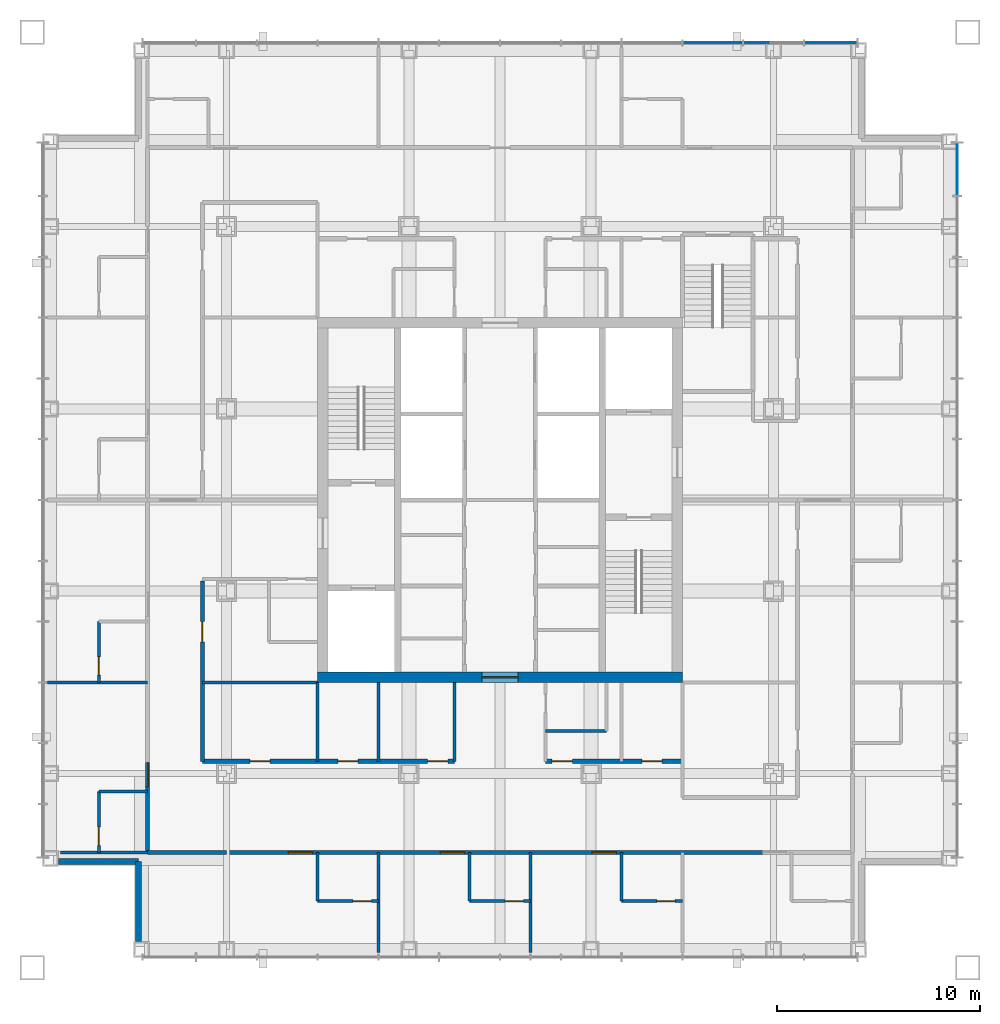
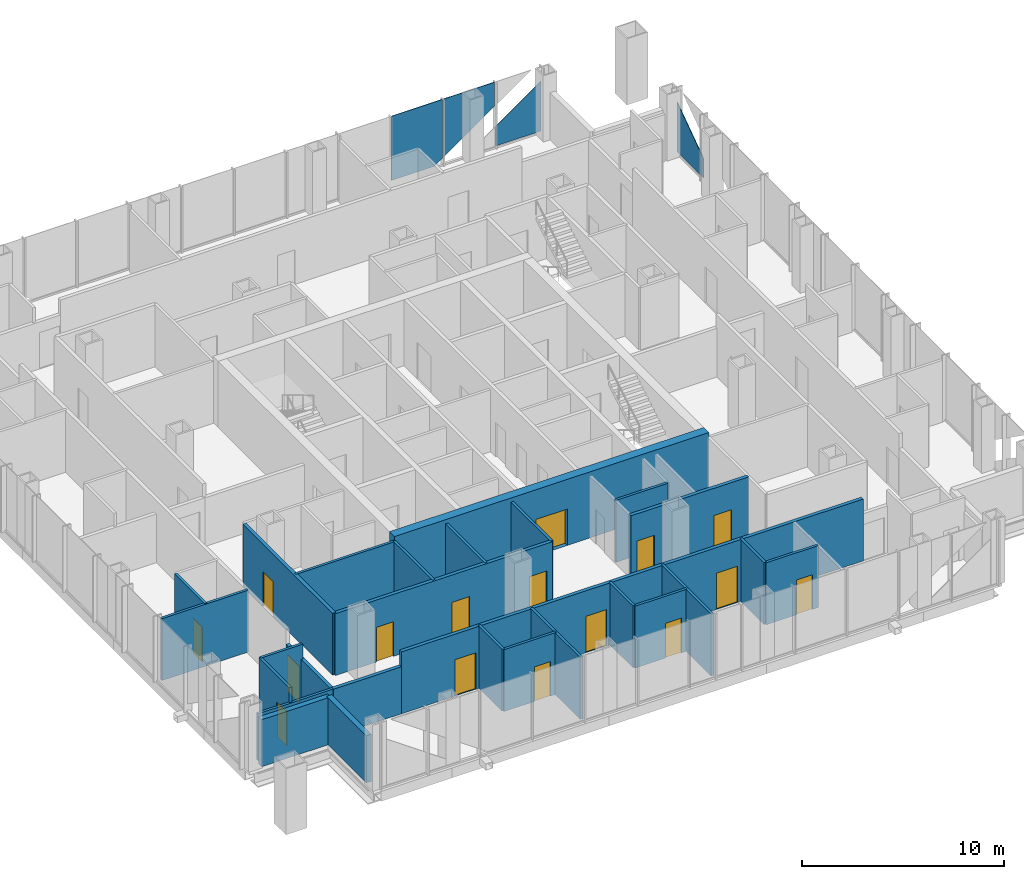
# One storey, part 6 of 11: 27 walls, 16 doors, 4 plates, 16 openings, 2 elements without a shape of their own.
"""IFC4 building model written with IfcOpenShell, lengths in metres."""

from ifc_helpers import new_model, si_unit, direction, frame, frame_2d, origin, place, context, subcontext, project, spatial, polyline, rectangle, outline, extrude, material, layer, layer_set, type_object, element, fill, aggregate, save


model = new_model("IFC4")

# Units and contexts
model_context = context("Model", 3, precision=1e-05, world=origin(), true_north=direction((0.0, 1.0)))
body_context = subcontext(model_context, "Body", "Model", "MODEL_VIEW")
ifc_project = project(units=[si_unit("LENGTHUNIT", "METRE"), si_unit("AREAUNIT", "SQUARE_METRE"), si_unit("VOLUMEUNIT", "CUBIC_METRE"), si_unit("PLANEANGLEUNIT", "RADIAN"), si_unit("MASSUNIT", "GRAM", prefix="KILO")], contexts=[model_context])

# Site, building, storey
site_placement = place(None, origin())
site = spatial("IfcSite", under=ifc_project, at=site_placement, CompositionType="ELEMENT")
building_placement = place(site_placement, origin())
building = spatial("IfcBuilding", under=site, at=building_placement, Name="Malebo Sky Hospital", CompositionType="ELEMENT")
storey_placement = place(building_placement, frame((0.0, 0.0, 201.0)))
storey = spatial("IfcBuildingStorey", under=building, at=storey_placement, Name="L48", CompositionType="ELEMENT", Elevation=201.0)

# Curtain wall, plates
ifc_material_1 = material(Name="Anodised aluminium, natural silver", Category="aluminium")
ifc_layer_1 = layer(ifc_material_1, 0.25)
ifc_layer_set_1 = layer_set([ifc_layer_1], Name="WARD CURTAIN WALL NORTH AND SOUTH")
curtain_wall_type_1 = type_object("IfcCurtainWallType", Name="WARD CURTAIN WALL NORTH AND SOUTH", PredefinedType="NOTDEFINED", material=ifc_layer_set_1)
curtain_wall_1_placement = place(storey_placement, origin())
curtain_wall_1 = element("IfcCurtainWall", 1, at=curtain_wall_1_placement, inside=storey, type_object=curtain_wall_type_1, Name="NS curtain wall N", PredefinedType="NOTDEFINED")
ifc_material_2 = material(Name="Clear low-iron double glazing", Category="glass")
ifc_layer_2 = layer(ifc_material_2, 0.031982421875)
ifc_layer_set_2 = layer_set([ifc_layer_2], Name="VISION PANEL CLEAR 32")
plate_type = type_object("IfcPlateType", Name="VISION PANEL CLEAR 32", PredefinedType="CURTAIN_PANEL", material=ifc_layer_set_2)
plate_1_placement = place(storey_placement, frame((70.5, 84.574951171875, 0.10009765625), z_axis=(0.0, 0.0, 1.0), x_axis=(1.0, 0.0, 0.0)))
plate_1 = element("IfcPlate", 2, at=plate_1_placement, type_object=plate_type, Name="Panel 10", PredefinedType="CURTAIN_PANEL", context=body_context, shape_type="SweptSolid", body=[
    extrude(outline(polyline([(-1.46240234375, 0.0), (1.0078125, 0.0), (1.46240234375, 0.3193359375), (1.46240234375, 3.889892578125), (-1.46240234375, 3.889892578125), (-1.46240234375, 0.0)])), frame((0.0, 0.01611328125, 0.0), z_axis=(0.0, -1.0, 0.0), x_axis=(1.0, 0.0, 0.0)), (0.0, 0.0, 1.0), 0.031982421875),
])
plate_2_placement = place(storey_placement, frame((73.5, 84.574951171875, 0.47216796875), z_axis=(0.0, 0.0, 1.0), x_axis=(1.0, 0.0, 0.0)))
plate_2 = element("IfcPlate", 3, at=plate_2_placement, type_object=plate_type, Name="Panel 11", PredefinedType="CURTAIN_PANEL", context=body_context, shape_type="SweptSolid", body=[
    extrude(outline(polyline([(-1.46240234375, 0.0), (1.46240234375, 2.054443359375), (1.46240234375, 3.517822265625), (-1.46240234375, 3.517822265625), (-1.46240234375, 0.0)])), frame((0.0, 0.01611328125, 0.0), z_axis=(0.0, -1.0, 0.0), x_axis=(1.0, 0.0, 0.0)), (0.0, 0.0, 1.0), 0.031982421875),
])
plate_3_placement = place(storey_placement, frame((76.331298828125, 84.574951171875, 0.10009765625), z_axis=(0.0, 0.0, 1.0), x_axis=(1.0, 0.0, 0.0)))
plate_3 = element("IfcPlate", 4, at=plate_3_placement, type_object=plate_type, Name="Panel 12", PredefinedType="CURTAIN_PANEL", context=body_context, shape_type="SweptSolid", body=[
    extrude(outline(polyline([(-1.293701171875, 0.0), (1.293701171875, 0.0), (1.293701171875, 3.01220703125), (-1.293701171875, 1.19482421875), (-1.293701171875, 0.0)])), frame((0.0, 0.01611328125, 0.0), z_axis=(0.0, -1.0, 0.0), x_axis=(1.0, 0.0, 0.0)), (0.0, 0.0, 1.0), 0.031982421875),
])
aggregate(curtain_wall_1, [plate_1, plate_2, plate_3])

# Curtain wall, plate
ifc_layer_3 = layer(ifc_material_1, 0.25)
ifc_layer_set_3 = layer_set([ifc_layer_3], Name="WARD CURTAIN WALL EAST AND WEST")
curtain_wall_type_2 = type_object("IfcCurtainWallType", Name="WARD CURTAIN WALL EAST AND WEST", PredefinedType="NOTDEFINED", material=ifc_layer_set_3)
curtain_wall_2_placement = place(storey_placement, origin())
curtain_wall_2 = element("IfcCurtainWall", 5, at=curtain_wall_2_placement, inside=storey, type_object=curtain_wall_type_2, Name="EW curtain wall E", PredefinedType="NOTDEFINED")
plate_4_placement = place(storey_placement, frame((82.574951171875, 78.331298828125, 0.10009765625), z_axis=(0.0, 0.0, 1.0), x_axis=(0.0, -1.0, 0.0)))
plate_4 = element("IfcPlate", 6, at=plate_4_placement, type_object=plate_type, Name="Panel 1", PredefinedType="CURTAIN_PANEL", context=body_context, shape_type="SweptSolid", body=[
    extrude(outline(polyline([(-1.293701171875, 0.0), (1.293701171875, 0.0), (1.293701171875, 1.19482421875), (-1.293701171875, 3.01220703125), (-1.293701171875, 0.0)])), frame((0.0, 0.01611328125, 0.0), z_axis=(0.0, -1.0, 0.0), x_axis=(1.0, 0.0, 0.0)), (0.0, 0.0, 1.0), 0.031982421875),
])
aggregate(curtain_wall_2, [plate_4])

# Wall, opening, door
ifc_material_3 = material(Name="Concrete C80/95", Category="concrete")
ifc_layer_4 = layer(ifc_material_3, 0.5)
ifc_layer_set_4 = layer_set([ifc_layer_4], Name="CORE WALL 500")
wall_type_1 = type_object("IfcWallType", Name="CORE WALL 500", PredefinedType="SHEAR", material=ifc_layer_set_4)
wall_1_placement = place(storey_placement, frame((51.0, 53.25, 0.0), z_axis=(0.0, 0.0, 1.0), x_axis=(1.0, 0.0, 0.0)))
wall_1 = element("IfcWall", 7, at=wall_1_placement, inside=storey, type_object=wall_type_1, Name="Core wall S L48", PredefinedType="SHEAR", context=body_context, shape_type="SweptSolid", body=[
    extrude(rectangle(XDim=18.0, YDim=0.5, at=frame_2d((9.0, 0.0))), origin(), (0.0, 0.0, 1.0), 4.0),
])
opening_1_placement = place(wall_1_placement, frame((8.10009765625, 0.0, 0.0)))
opening_1 = element("IfcOpeningElement", 8, at=opening_1_placement, cuts=wall_1, Name="Opening D06", PredefinedType="OPENING", context=body_context, shape_type="SweptSolid", body=[
    extrude(rectangle(XDim=1.800048828125, YDim=2.199951171875, at=frame_2d((0.89990234375, 1.10009765625))), frame((0.0, 0.260009765625, 0.0), z_axis=(0.0, -1.0, 0.0), x_axis=(1.0, 0.0, 0.0)), (0.0, 0.0, 1.0), 0.52001953125),
])
ifc_material_4 = material(Name="Hardwood-faced door leaf in steel frame", Category="steel")
door_type_1 = type_object("IfcDoorType", Name="LOBBY DOOR PAIR 1800", OperationType="DOUBLE_DOOR_SINGLE_SWING", PredefinedType="DOOR", material=ifc_material_4)
door_1_placement = place(opening_1_placement, origin())
door_1 = element("IfcDoor", 9, at=door_1_placement, inside=storey, type_object=door_type_1, Name="Service lobby door south", OperationType="DOUBLE_DOOR_SINGLE_SWING", OverallHeight=2.199951171875, OverallWidth=1.800048828125, PredefinedType="DOOR", context=body_context, shape_type="SweptSolid", body=[
    extrude(rectangle(XDim=1.800048828125, YDim=2.199951171875, at=frame_2d((0.89990234375, 1.10009765625))), frame((0.0, 0.02490234375, 0.0), z_axis=(0.0, -1.0, 0.0), x_axis=(1.0, 0.0, 0.0)), (0.0, 0.0, 1.0), 0.050048828125),
])
fill(opening_1, door_1)

ifc_material_5 = material(Name="Gypsum board on steel studs", Category="steel")
ifc_layer_5 = layer(ifc_material_5, 0.199951171875)
ifc_layer_set_5 = layer_set([ifc_layer_5], Name="CORRIDOR WALL 200")
wall_type_2 = type_object("IfcWallType", Name="CORRIDOR WALL 200", PredefinedType="PARTITIONING", material=ifc_layer_set_5)
wall_2_placement = place(storey_placement, frame((42.60009765625, 44.60009765625, 0.0), z_axis=(0.0, 0.0, 1.0), x_axis=(0.0, 1.0, 0.0)))
wall_2 = element("IfcWall", 10, at=wall_2_placement, inside=storey, type_object=wall_type_2, Name="Corridor Wall 200 WCO", PredefinedType="PARTITIONING", context=body_context, shape_type="SweptSolid", body=[
    extrude(rectangle(XDim=4.449951171875, YDim=0.199951171875, at=frame_2d((2.22509765625, 0.0))), origin(), (0.0, 0.0, 1.0), 2.85009765625),
])
opening_2_placement = place(wall_2_placement, frame((3.25, 0.0, 0.0)))
opening_2 = element("IfcOpeningElement", 11, at=opening_2_placement, cuts=wall_2, Name="Opening D01", PredefinedType="OPENING", context=body_context, shape_type="SweptSolid", body=[
    extrude(rectangle(XDim=1.199951171875, YDim=2.199951171875, at=frame_2d((0.60009765625, 1.10009765625))), frame((0.0, 0.10986328125, 0.0), z_axis=(0.0, -1.0, 0.0), x_axis=(1.0, 0.0, 0.0)), (0.0, 0.0, 1.0), 0.219970703125),
])
door_type_2 = type_object("IfcDoorType", Name="BED DOOR 1200", OperationType="SINGLE_SWING_LEFT", PredefinedType="DOOR", material=ifc_material_4)
door_2_placement = place(opening_2_placement, origin())
door_2 = element("IfcDoor", 12, at=door_2_placement, inside=storey, type_object=door_type_2, Name="Birthing room door", OperationType="SINGLE_SWING_LEFT", OverallHeight=2.199951171875, OverallWidth=1.199951171875, PredefinedType="DOOR", context=body_context, shape_type="SweptSolid", body=[
    extrude(rectangle(XDim=1.199951171875, YDim=2.199951171875, at=frame_2d((0.60009765625, 1.10009765625))), frame((0.0, 0.02490234375, 0.0), z_axis=(0.0, -1.0, 0.0), x_axis=(1.0, 0.0, 0.0)), (0.0, 0.0, 1.0), 0.050048828125),
])
fill(opening_2, door_2)

wall_3_placement = place(storey_placement, frame((45.300048828125, 49.10009765625, 0.0), z_axis=(0.0, 0.0, 1.0), x_axis=(0.0, 1.0, 0.0)))
wall_3 = element("IfcWall", 13, at=wall_3_placement, inside=storey, type_object=wall_type_2, Name="Corridor Wall 200 WCI1", PredefinedType="PARTITIONING", context=body_context, shape_type="SweptSolid", body=[
    extrude(rectangle(XDim=8.89990234375, YDim=0.199951171875, at=frame_2d((4.449951171875, 0.0))), origin(), (0.0, 0.0, 1.0), 3.75),
])
opening_3_placement = place(wall_3_placement, frame((5.89990234375, 0.0, 0.0)))
opening_3 = element("IfcOpeningElement", 14, at=opening_3_placement, cuts=wall_3, Name="Opening D03", PredefinedType="OPENING", context=body_context, shape_type="SweptSolid", body=[
    extrude(rectangle(XDim=1.0, YDim=2.10009765625, at=frame_2d((0.5, 1.050048828125))), frame((0.0, 0.10986328125, 0.0), z_axis=(0.0, -1.0, 0.0), x_axis=(1.0, 0.0, 0.0)), (0.0, 0.0, 1.0), 0.219970703125),
])
door_type_3 = type_object("IfcDoorType", Name="ROOM DOOR 1000", OperationType="SINGLE_SWING_LEFT", PredefinedType="DOOR", material=ifc_material_4)
door_3_placement = place(opening_3_placement, origin())
door_3 = element("IfcDoor", 15, at=door_3_placement, inside=storey, type_object=door_type_3, Name="Clean utility room door", OperationType="SINGLE_SWING_LEFT", OverallHeight=2.10009765625, OverallWidth=1.0, PredefinedType="DOOR", context=body_context, shape_type="SweptSolid", body=[
    extrude(rectangle(XDim=1.0, YDim=2.10009765625, at=frame_2d((0.5, 1.050048828125))), frame((0.0, 0.02490234375, 0.0), z_axis=(0.0, -1.0, 0.0), x_axis=(1.0, 0.0, 0.0)), (0.0, 0.0, 1.0), 0.050048828125),
])
fill(opening_3, door_3)

# Wall, openings, doors
wall_4_placement = place(storey_placement, frame((72.949951171875, 44.60009765625, 0.0), z_axis=(0.0, 0.0, 1.0), x_axis=(-1.0, 0.0, 0.0)))
wall_4 = element("IfcWall", 16, at=wall_4_placement, inside=storey, type_object=wall_type_2, Name="Corridor Wall 200 SCO", PredefinedType="PARTITIONING", context=body_context, shape_type="SweptSolid", body=[
    extrude(rectangle(XDim=26.449951171875, YDim=0.199951171875, at=frame_2d((13.22509765625, 0.0))), origin(), (0.0, 0.0, 1.0), 3.75),
])
opening_4_placement = place(wall_4_placement, frame((7.199951171875, 0.0, 0.0)))
opening_4 = element("IfcOpeningElement", 17, at=opening_4_placement, cuts=wall_4, Name="Opening D01", PredefinedType="OPENING", context=body_context, shape_type="SweptSolid", body=[
    extrude(rectangle(XDim=1.199951171875, YDim=2.199951171875, at=frame_2d((0.60009765625, 1.10009765625))), frame((0.0, 0.10986328125, 0.0), z_axis=(0.0, -1.0, 0.0), x_axis=(1.0, 0.0, 0.0)), (0.0, 0.0, 1.0), 0.219970703125),
])
opening_5_placement = place(wall_4_placement, frame((14.699951171875, 0.0, 0.0)))
opening_5 = element("IfcOpeningElement", 18, at=opening_5_placement, cuts=wall_4, Name="Opening D01", PredefinedType="OPENING", context=body_context, shape_type="SweptSolid", body=[
    extrude(rectangle(XDim=1.199951171875, YDim=2.199951171875, at=frame_2d((0.60009765625, 1.10009765625))), frame((0.0, 0.10986328125, 0.0), z_axis=(0.0, -1.0, 0.0), x_axis=(1.0, 0.0, 0.0)), (0.0, 0.0, 1.0), 0.219970703125),
])
opening_6_placement = place(wall_4_placement, frame((22.199951171875, 0.0, 0.0)))
opening_6 = element("IfcOpeningElement", 19, at=opening_6_placement, cuts=wall_4, Name="Opening D01", PredefinedType="OPENING", context=body_context, shape_type="SweptSolid", body=[
    extrude(rectangle(XDim=1.199951171875, YDim=2.199951171875, at=frame_2d((0.60009765625, 1.10009765625))), frame((0.0, 0.10986328125, 0.0), z_axis=(0.0, -1.0, 0.0), x_axis=(1.0, 0.0, 0.0)), (0.0, 0.0, 1.0), 0.219970703125),
])
door_4_placement = place(opening_4_placement, origin())
door_4 = element("IfcDoor", 20, at=door_4_placement, inside=storey, type_object=door_type_2, Name="Birthing room door", OperationType="SINGLE_SWING_LEFT", OverallHeight=2.199951171875, OverallWidth=1.199951171875, PredefinedType="DOOR", context=body_context, shape_type="SweptSolid", body=[
    extrude(rectangle(XDim=1.199951171875, YDim=2.199951171875, at=frame_2d((0.60009765625, 1.10009765625))), frame((0.0, 0.02490234375, 0.0), z_axis=(0.0, -1.0, 0.0), x_axis=(1.0, 0.0, 0.0)), (0.0, 0.0, 1.0), 0.050048828125),
])
fill(opening_4, door_4)
door_5_placement = place(opening_5_placement, origin())
door_5 = element("IfcDoor", 21, at=door_5_placement, inside=storey, type_object=door_type_2, Name="Birthing room door", OperationType="SINGLE_SWING_LEFT", OverallHeight=2.199951171875, OverallWidth=1.199951171875, PredefinedType="DOOR", context=body_context, shape_type="SweptSolid", body=[
    extrude(rectangle(XDim=1.199951171875, YDim=2.199951171875, at=frame_2d((0.60009765625, 1.10009765625))), frame((0.0, 0.02490234375, 0.0), z_axis=(0.0, -1.0, 0.0), x_axis=(1.0, 0.0, 0.0)), (0.0, 0.0, 1.0), 0.050048828125),
])
fill(opening_5, door_5)
door_6_placement = place(opening_6_placement, origin())
door_6 = element("IfcDoor", 22, at=door_6_placement, inside=storey, type_object=door_type_2, Name="Birthing room door", OperationType="SINGLE_SWING_LEFT", OverallHeight=2.199951171875, OverallWidth=1.199951171875, PredefinedType="DOOR", context=body_context, shape_type="SweptSolid", body=[
    extrude(rectangle(XDim=1.199951171875, YDim=2.199951171875, at=frame_2d((0.60009765625, 1.10009765625))), frame((0.0, 0.02490234375, 0.0), z_axis=(0.0, -1.0, 0.0), x_axis=(1.0, 0.0, 0.0)), (0.0, 0.0, 1.0), 0.050048828125),
])
fill(opening_6, door_6)

# Wall
wall_5_placement = place(storey_placement, frame((46.5, 44.60009765625, 0.0), z_axis=(0.0, 0.0, 1.0), x_axis=(-1.0, 0.0, 0.0)))
element("IfcWall", 23, at=wall_5_placement, inside=storey, type_object=wall_type_2, Name="Corridor Wall 200 SCO", PredefinedType="PARTITIONING", context=body_context, shape_type="SweptSolid", body=[
    extrude(rectangle(XDim=3.89990234375, YDim=0.199951171875, at=frame_2d((1.949951171875, 0.0))), origin(), (0.0, 0.0, 1.0), 2.85009765625),
])

# Wall, openings, doors
wall_6_placement = place(storey_placement, frame((69.0, 49.10009765625, 0.0), z_axis=(0.0, 0.0, 1.0), x_axis=(-1.0, 0.0, 0.0)))
wall_6 = element("IfcWall", 24, at=wall_6_placement, inside=storey, type_object=wall_type_2, Name="Corridor Wall 200 SCI1", PredefinedType="PARTITIONING", context=body_context, shape_type="SweptSolid", body=[
    extrude(rectangle(XDim=6.75, YDim=0.199951171875, at=frame_2d((3.375, 0.0))), origin(), (0.0, 0.0, 1.0), 3.75),
])
opening_7_placement = place(wall_6_placement, frame((1.0, 0.0, 0.0)))
opening_7 = element("IfcOpeningElement", 25, at=opening_7_placement, cuts=wall_6, Name="Opening D03", PredefinedType="OPENING", context=body_context, shape_type="SweptSolid", body=[
    extrude(rectangle(XDim=1.0, YDim=2.10009765625, at=frame_2d((0.5, 1.050048828125))), frame((0.0, 0.10986328125, 0.0), z_axis=(0.0, -1.0, 0.0), x_axis=(1.0, 0.0, 0.0)), (0.0, 0.0, 1.0), 0.219970703125),
])
opening_8_placement = place(wall_6_placement, frame((5.425048828125, 0.0, 0.0)))
opening_8 = element("IfcOpeningElement", 26, at=opening_8_placement, cuts=wall_6, Name="Opening D03", PredefinedType="OPENING", context=body_context, shape_type="SweptSolid", body=[
    extrude(rectangle(XDim=1.0, YDim=2.10009765625, at=frame_2d((0.5, 1.050048828125))), frame((0.0, 0.10986328125, 0.0), z_axis=(0.0, -1.0, 0.0), x_axis=(1.0, 0.0, 0.0)), (0.0, 0.0, 1.0), 0.219970703125),
])
door_7_placement = place(opening_7_placement, origin())
door_7 = element("IfcDoor", 27, at=door_7_placement, inside=storey, type_object=door_type_3, Name="Ward office door", OperationType="SINGLE_SWING_LEFT", OverallHeight=2.10009765625, OverallWidth=1.0, PredefinedType="DOOR", context=body_context, shape_type="SweptSolid", body=[
    extrude(rectangle(XDim=1.0, YDim=2.10009765625, at=frame_2d((0.5, 1.050048828125))), frame((0.0, 0.02490234375, 0.0), z_axis=(0.0, -1.0, 0.0), x_axis=(1.0, 0.0, 0.0)), (0.0, 0.0, 1.0), 0.050048828125),
])
fill(opening_7, door_7)
door_8_placement = place(opening_8_placement, origin())
door_8 = element("IfcDoor", 28, at=door_8_placement, inside=storey, type_object=door_type_3, Name="Linen store door", OperationType="SINGLE_SWING_RIGHT", OverallHeight=2.10009765625, OverallWidth=1.0, PredefinedType="DOOR", context=body_context, shape_type="SweptSolid", body=[
    extrude(rectangle(XDim=1.0, YDim=2.10009765625, at=frame_2d((0.5, 1.050048828125))), frame((0.0, 0.02490234375, 0.0), z_axis=(0.0, -1.0, 0.0), x_axis=(1.0, 0.0, 0.0)), (0.0, 0.0, 1.0), 0.050048828125),
])
fill(opening_8, door_8)

wall_7_placement = place(storey_placement, frame((57.75, 49.10009765625, 0.0), z_axis=(0.0, 0.0, 1.0), x_axis=(-1.0, 0.0, 0.0)))
wall_7 = element("IfcWall", 29, at=wall_7_placement, inside=storey, type_object=wall_type_2, Name="Corridor Wall 200 SCI2", PredefinedType="PARTITIONING", context=body_context, shape_type="SweptSolid", body=[
    extrude(rectangle(XDim=12.449951171875, YDim=0.199951171875, at=frame_2d((6.22509765625, 0.0))), origin(), (0.0, 0.0, 1.0), 3.75),
])
opening_9_placement = place(wall_7_placement, frame((0.324951171875, 0.0, 0.0)))
opening_9 = element("IfcOpeningElement", 30, at=opening_9_placement, cuts=wall_7, Name="Opening D03", PredefinedType="OPENING", context=body_context, shape_type="SweptSolid", body=[
    extrude(rectangle(XDim=1.0, YDim=2.10009765625, at=frame_2d((0.5, 1.050048828125))), frame((0.0, 0.10986328125, 0.0), z_axis=(0.0, -1.0, 0.0), x_axis=(1.0, 0.0, 0.0)), (0.0, 0.0, 1.0), 0.219970703125),
])
opening_10_placement = place(wall_7_placement, frame((4.75, 0.0, 0.0)))
opening_10 = element("IfcOpeningElement", 31, at=opening_10_placement, cuts=wall_7, Name="Opening D03", PredefinedType="OPENING", context=body_context, shape_type="SweptSolid", body=[
    extrude(rectangle(XDim=1.0, YDim=2.10009765625, at=frame_2d((0.5, 1.050048828125))), frame((0.0, 0.10986328125, 0.0), z_axis=(0.0, -1.0, 0.0), x_axis=(1.0, 0.0, 0.0)), (0.0, 0.0, 1.0), 0.219970703125),
])
opening_11_placement = place(wall_7_placement, frame((9.10009765625, 0.0, 0.0)))
opening_11 = element("IfcOpeningElement", 32, at=opening_11_placement, cuts=wall_7, Name="Opening D03", PredefinedType="OPENING", context=body_context, shape_type="SweptSolid", body=[
    extrude(rectangle(XDim=1.0, YDim=2.10009765625, at=frame_2d((0.5, 1.050048828125))), frame((0.0, 0.10986328125, 0.0), z_axis=(0.0, -1.0, 0.0), x_axis=(1.0, 0.0, 0.0)), (0.0, 0.0, 1.0), 0.219970703125),
])
door_9_placement = place(opening_9_placement, origin())
door_9 = element("IfcDoor", 33, at=door_9_placement, inside=storey, type_object=door_type_3, Name="Ward pantry door", OperationType="SINGLE_SWING_LEFT", OverallHeight=2.10009765625, OverallWidth=1.0, PredefinedType="DOOR", context=body_context, shape_type="SweptSolid", body=[
    extrude(rectangle(XDim=1.0, YDim=2.10009765625, at=frame_2d((0.5, 1.050048828125))), frame((0.0, 0.02490234375, 0.0), z_axis=(0.0, -1.0, 0.0), x_axis=(1.0, 0.0, 0.0)), (0.0, 0.0, 1.0), 0.050048828125),
])
fill(opening_9, door_9)
door_10_placement = place(opening_10_placement, origin())
door_10 = element("IfcDoor", 34, at=door_10_placement, inside=storey, type_object=door_type_3, Name="Equipment store door", OperationType="SINGLE_SWING_LEFT", OverallHeight=2.10009765625, OverallWidth=1.0, PredefinedType="DOOR", context=body_context, shape_type="SweptSolid", body=[
    extrude(rectangle(XDim=1.0, YDim=2.10009765625, at=frame_2d((0.5, 1.050048828125))), frame((0.0, 0.02490234375, 0.0), z_axis=(0.0, -1.0, 0.0), x_axis=(1.0, 0.0, 0.0)), (0.0, 0.0, 1.0), 0.050048828125),
])
fill(opening_10, door_10)
door_11_placement = place(opening_11_placement, origin())
door_11 = element("IfcDoor", 35, at=door_11_placement, inside=storey, type_object=door_type_3, Name="Birthing pool store door", OperationType="SINGLE_SWING_RIGHT", OverallHeight=2.10009765625, OverallWidth=1.0, PredefinedType="DOOR", context=body_context, shape_type="SweptSolid", body=[
    extrude(rectangle(XDim=1.0, YDim=2.10009765625, at=frame_2d((0.5, 1.050048828125))), frame((0.0, 0.02490234375, 0.0), z_axis=(0.0, -1.0, 0.0), x_axis=(1.0, 0.0, 0.0)), (0.0, 0.0, 1.0), 0.050048828125),
])
fill(opening_11, door_11)

# Walls
ifc_material_6 = material(Name="Anodised aluminium rainscreen on steel framing", Category="steel")
ifc_layer_6 = layer(ifc_material_6, 0.300048828125)
ifc_layer_set_6 = layer_set([ifc_layer_6], Name="NOTCH RAINSCREEN WALL 300")
wall_type_3 = type_object("IfcWallType", Name="NOTCH RAINSCREEN WALL 300", PredefinedType="ELEMENTEDWALL", material=ifc_layer_set_6)
for number, where, z_axis, x_axis, name in (
    (36, (42.14990234375, 40.199951171875, 0.0), (0.0, 0.0, 1.0), (0.0, 1.0, 0.0), "Notch rainscreen wall S1 L48"),
    (37, (42.14990234375, 44.14990234375, 0.0), (0.0, 0.0, 1.0), (-1.0, 0.0, 0.0), "Notch rainscreen wall S2 L48"),
):
    element("IfcWall", number, at=place(storey_placement, frame(where, z_axis=z_axis, x_axis=x_axis)), inside=storey, type_object=wall_type_3, Name=name, PredefinedType="ELEMENTEDWALL", context=body_context, shape_type="SweptSolid", body=[
        extrude(rectangle(XDim=3.949951171875, YDim=0.300048828125, at=frame_2d((1.97509765625, 0.0))), origin(), (0.0, 0.0, 1.0), 2.85009765625),
    ])
ifc_layer_7 = layer(ifc_material_5, 0.14990234375)
ifc_layer_set_7 = layer_set([ifc_layer_7], Name="PARTITION 150")
wall_type_4 = type_object("IfcWallType", Name="PARTITION 150", PredefinedType="PARTITIONING", material=ifc_layer_set_7)
wall_8_placement = place(storey_placement, frame((42.60009765625, 53.0, 0.0), z_axis=(0.0, 0.0, 1.0), x_axis=(-1.0, 0.0, 0.0)))
element("IfcWall", 38, at=wall_8_placement, inside=storey, type_object=wall_type_4, Name="Partition 150 WP-9.0", PredefinedType="PARTITIONING", context=body_context, shape_type="SweptSolid", body=[
    extrude(rectangle(XDim=4.9501953125, YDim=0.14990234375, at=frame_2d((2.47509765625, 0.0))), origin(), (0.0, 0.0, 1.0), 3.75),
])
wall_9_placement = place(storey_placement, frame((42.60009765625, 44.60009765625, 0.0), z_axis=(0.0, 0.0, 1.0), x_axis=(-1.0, 0.0, 0.0)))
element("IfcWall", 39, at=wall_9_placement, inside=storey, type_object=wall_type_4, Name="Partition 150 WP0", PredefinedType="PARTITIONING", context=body_context, shape_type="SweptSolid", body=[
    extrude(rectangle(XDim=4.300048828125, YDim=0.14990234375, at=frame_2d((2.14990234375, 0.0))), origin(), (0.0, 0.0, 1.0), 2.85009765625),
])

# Wall, opening, door
wall_10_placement = place(storey_placement, frame((40.199951171875, 44.60009765625, 0.0), z_axis=(0.0, 0.0, 1.0), x_axis=(0.0, 1.0, 0.0)))
wall_10 = element("IfcWall", 40, at=wall_10_placement, inside=storey, type_object=wall_type_4, Name="Partition 150 WE0F", PredefinedType="PARTITIONING", context=body_context, shape_type="SweptSolid", body=[
    extrude(rectangle(XDim=3.0, YDim=0.14990234375, at=frame_2d((1.5, 0.0))), origin(), (0.0, 0.0, 1.0), 3.75),
])
opening_12_placement = place(wall_10_placement, frame((0.35009765625, 0.0, 0.0)))
opening_12 = element("IfcOpeningElement", 41, at=opening_12_placement, cuts=wall_10, Name="Opening D02", PredefinedType="OPENING", context=body_context, shape_type="SweptSolid", body=[
    extrude(rectangle(XDim=0.89990234375, YDim=2.10009765625, at=frame_2d((0.449951171875, 1.050048828125))), frame((0.0, 0.0849609375, 0.0), z_axis=(0.0, -1.0, 0.0), x_axis=(1.0, 0.0, 0.0)), (0.0, 0.0, 1.0), 0.169921875),
])
door_type_4 = type_object("IfcDoorType", Name="EN-SUITE DOOR 900", OperationType="SINGLE_SWING_LEFT", PredefinedType="DOOR", material=ifc_material_4)
door_12_placement = place(opening_12_placement, origin())
door_12 = element("IfcDoor", 42, at=door_12_placement, inside=storey, type_object=door_type_4, Name="En-suite door", OperationType="SINGLE_SWING_LEFT", OverallHeight=2.10009765625, OverallWidth=0.89990234375, PredefinedType="DOOR", context=body_context, shape_type="SweptSolid", body=[
    extrude(rectangle(XDim=0.89990234375, YDim=2.10009765625, at=frame_2d((0.449951171875, 1.050048828125))), frame((0.0, 0.02490234375, 0.0), z_axis=(0.0, -1.0, 0.0), x_axis=(1.0, 0.0, 0.0)), (0.0, 0.0, 1.0), 0.050048828125),
])
fill(opening_12, door_12)

# Wall
wall_11_placement = place(storey_placement, frame((42.60009765625, 47.60009765625, 0.0), z_axis=(0.0, 0.0, 1.0), x_axis=(-1.0, 0.0, 0.0)))
element("IfcWall", 43, at=wall_11_placement, inside=storey, type_object=wall_type_4, Name="Partition 150 WE0S", PredefinedType="PARTITIONING", context=body_context, shape_type="SweptSolid", body=[
    extrude(rectangle(XDim=2.400146484375, YDim=0.14990234375, at=frame_2d((1.2001953125, 0.0))), origin(), (0.0, 0.0, 1.0), 3.75),
])

# Wall, opening, door
wall_12_placement = place(storey_placement, frame((40.199951171875, 53.0, 0.0), z_axis=(0.0, 0.0, 1.0), x_axis=(0.0, 1.0, 0.0)))
wall_12 = element("IfcWall", 44, at=wall_12_placement, inside=storey, type_object=wall_type_4, Name="Partition 150 WE1F", PredefinedType="PARTITIONING", context=body_context, shape_type="SweptSolid", body=[
    extrude(rectangle(XDim=3.0, YDim=0.14990234375, at=frame_2d((1.5, 0.0))), origin(), (0.0, 0.0, 1.0), 3.75),
])
opening_13_placement = place(wall_12_placement, frame((0.35009765625, 0.0, 0.0)))
opening_13 = element("IfcOpeningElement", 45, at=opening_13_placement, cuts=wall_12, Name="Opening D02", PredefinedType="OPENING", context=body_context, shape_type="SweptSolid", body=[
    extrude(rectangle(XDim=0.89990234375, YDim=2.10009765625, at=frame_2d((0.449951171875, 1.050048828125))), frame((0.0, 0.0849609375, 0.0), z_axis=(0.0, -1.0, 0.0), x_axis=(1.0, 0.0, 0.0)), (0.0, 0.0, 1.0), 0.169921875),
])
door_13_placement = place(opening_13_placement, origin())
door_13 = element("IfcDoor", 46, at=door_13_placement, inside=storey, type_object=door_type_4, Name="En-suite door", OperationType="SINGLE_SWING_LEFT", OverallHeight=2.10009765625, OverallWidth=0.89990234375, PredefinedType="DOOR", context=body_context, shape_type="SweptSolid", body=[
    extrude(rectangle(XDim=0.89990234375, YDim=2.10009765625, at=frame_2d((0.449951171875, 1.050048828125))), frame((0.0, 0.02490234375, 0.0), z_axis=(0.0, -1.0, 0.0), x_axis=(1.0, 0.0, 0.0)), (0.0, 0.0, 1.0), 0.050048828125),
])
fill(opening_13, door_13)

# Walls
wall_13_placement = place(storey_placement, frame((51.0, 53.0, 0.0), z_axis=(0.0, 0.0, 1.0), x_axis=(-1.0, 0.0, 0.0)))
element("IfcWall", 47, at=wall_13_placement, inside=storey, type_object=wall_type_4, Name="Partition 150 WSP0", PredefinedType="PARTITIONING", context=body_context, shape_type="SweptSolid", body=[
    extrude(rectangle(XDim=5.699951171875, YDim=0.14990234375, at=frame_2d((2.85009765625, 0.0))), origin(), (0.0, 0.0, 1.0), 3.75),
])
for number, where, z_axis, x_axis, name in (
    (48, (61.5, 44.60009765625, 0.0), (0.0, 0.0, 1.0), (0.0, -1.0, 0.0), "Partition 150 SP-1.5"),
    (49, (54.0, 44.60009765625, 0.0), (0.0, 0.0, 1.0), (0.0, -1.0, 0.0), "Partition 150 SP+6.0"),
):
    element("IfcWall", number, at=place(storey_placement, frame(where, z_axis=z_axis, x_axis=x_axis)), inside=storey, type_object=wall_type_4, Name=name, PredefinedType="PARTITIONING", context=body_context, shape_type="SweptSolid", body=[
        extrude(rectangle(XDim=4.9501953125, YDim=0.14990234375, at=frame_2d((2.47509765625, 0.0))), origin(), (0.0, 0.0, 1.0), 3.75),
    ])

# Wall, opening, door
wall_14_placement = place(storey_placement, frame((69.0, 42.199951171875, 0.0), z_axis=(0.0, 0.0, 1.0), x_axis=(-1.0, 0.0, 0.0)))
wall_14 = element("IfcWall", 50, at=wall_14_placement, inside=storey, type_object=wall_type_4, Name="Partition 150 SE1F", PredefinedType="PARTITIONING", context=body_context, shape_type="SweptSolid", body=[
    extrude(rectangle(XDim=3.0, YDim=0.14990234375, at=frame_2d((1.5, 0.0))), origin(), (0.0, 0.0, 1.0), 3.75),
])
opening_14_placement = place(wall_14_placement, frame((0.35009765625, 0.0, 0.0)))
opening_14 = element("IfcOpeningElement", 51, at=opening_14_placement, cuts=wall_14, Name="Opening D02", PredefinedType="OPENING", context=body_context, shape_type="SweptSolid", body=[
    extrude(rectangle(XDim=0.89990234375, YDim=2.10009765625, at=frame_2d((0.449951171875, 1.050048828125))), frame((0.0, 0.0849609375, 0.0), z_axis=(0.0, -1.0, 0.0), x_axis=(1.0, 0.0, 0.0)), (0.0, 0.0, 1.0), 0.169921875),
])
door_14_placement = place(opening_14_placement, origin())
door_14 = element("IfcDoor", 52, at=door_14_placement, inside=storey, type_object=door_type_4, Name="En-suite door", OperationType="SINGLE_SWING_LEFT", OverallHeight=2.10009765625, OverallWidth=0.89990234375, PredefinedType="DOOR", context=body_context, shape_type="SweptSolid", body=[
    extrude(rectangle(XDim=0.89990234375, YDim=2.10009765625, at=frame_2d((0.449951171875, 1.050048828125))), frame((0.0, 0.02490234375, 0.0), z_axis=(0.0, -1.0, 0.0), x_axis=(1.0, 0.0, 0.0)), (0.0, 0.0, 1.0), 0.050048828125),
])
fill(opening_14, door_14)

# Wall
wall_15_placement = place(storey_placement, frame((66.0, 44.60009765625, 0.0), z_axis=(0.0, 0.0, 1.0), x_axis=(0.0, -1.0, 0.0)))
element("IfcWall", 53, at=wall_15_placement, inside=storey, type_object=wall_type_4, Name="Partition 150 SE1S", PredefinedType="PARTITIONING", context=body_context, shape_type="SweptSolid", body=[
    extrude(rectangle(XDim=2.400146484375, YDim=0.14990234375, at=frame_2d((1.2001953125, 0.0))), origin(), (0.0, 0.0, 1.0), 3.75),
])

# Wall, opening, door
wall_16_placement = place(storey_placement, frame((61.5, 42.199951171875, 0.0), z_axis=(0.0, 0.0, 1.0), x_axis=(-1.0, 0.0, 0.0)))
wall_16 = element("IfcWall", 54, at=wall_16_placement, inside=storey, type_object=wall_type_4, Name="Partition 150 SE2F", PredefinedType="PARTITIONING", context=body_context, shape_type="SweptSolid", body=[
    extrude(rectangle(XDim=3.0, YDim=0.14990234375, at=frame_2d((1.5, 0.0))), origin(), (0.0, 0.0, 1.0), 3.75),
])
opening_15_placement = place(wall_16_placement, frame((0.35009765625, 0.0, 0.0)))
opening_15 = element("IfcOpeningElement", 55, at=opening_15_placement, cuts=wall_16, Name="Opening D02", PredefinedType="OPENING", context=body_context, shape_type="SweptSolid", body=[
    extrude(rectangle(XDim=0.89990234375, YDim=2.10009765625, at=frame_2d((0.449951171875, 1.050048828125))), frame((0.0, 0.0849609375, 0.0), z_axis=(0.0, -1.0, 0.0), x_axis=(1.0, 0.0, 0.0)), (0.0, 0.0, 1.0), 0.169921875),
])
door_15_placement = place(opening_15_placement, origin())
door_15 = element("IfcDoor", 56, at=door_15_placement, inside=storey, type_object=door_type_4, Name="En-suite door", OperationType="SINGLE_SWING_LEFT", OverallHeight=2.10009765625, OverallWidth=0.89990234375, PredefinedType="DOOR", context=body_context, shape_type="SweptSolid", body=[
    extrude(rectangle(XDim=0.89990234375, YDim=2.10009765625, at=frame_2d((0.449951171875, 1.050048828125))), frame((0.0, 0.02490234375, 0.0), z_axis=(0.0, -1.0, 0.0), x_axis=(1.0, 0.0, 0.0)), (0.0, 0.0, 1.0), 0.050048828125),
])
fill(opening_15, door_15)

# Wall
wall_17_placement = place(storey_placement, frame((58.5, 44.60009765625, 0.0), z_axis=(0.0, 0.0, 1.0), x_axis=(0.0, -1.0, 0.0)))
element("IfcWall", 57, at=wall_17_placement, inside=storey, type_object=wall_type_4, Name="Partition 150 SE2S", PredefinedType="PARTITIONING", context=body_context, shape_type="SweptSolid", body=[
    extrude(rectangle(XDim=2.400146484375, YDim=0.14990234375, at=frame_2d((1.2001953125, 0.0))), origin(), (0.0, 0.0, 1.0), 3.75),
])

# Wall, opening, door
wall_18_placement = place(storey_placement, frame((54.0, 42.199951171875, 0.0), z_axis=(0.0, 0.0, 1.0), x_axis=(-1.0, 0.0, 0.0)))
wall_18 = element("IfcWall", 58, at=wall_18_placement, inside=storey, type_object=wall_type_4, Name="Partition 150 SE3F", PredefinedType="PARTITIONING", context=body_context, shape_type="SweptSolid", body=[
    extrude(rectangle(XDim=3.0, YDim=0.14990234375, at=frame_2d((1.5, 0.0))), origin(), (0.0, 0.0, 1.0), 3.75),
])
opening_16_placement = place(wall_18_placement, frame((0.35009765625, 0.0, 0.0)))
opening_16 = element("IfcOpeningElement", 59, at=opening_16_placement, cuts=wall_18, Name="Opening D02", PredefinedType="OPENING", context=body_context, shape_type="SweptSolid", body=[
    extrude(rectangle(XDim=0.89990234375, YDim=2.10009765625, at=frame_2d((0.449951171875, 1.050048828125))), frame((0.0, 0.0849609375, 0.0), z_axis=(0.0, -1.0, 0.0), x_axis=(1.0, 0.0, 0.0)), (0.0, 0.0, 1.0), 0.169921875),
])
door_16_placement = place(opening_16_placement, origin())
door_16 = element("IfcDoor", 60, at=door_16_placement, inside=storey, type_object=door_type_4, Name="En-suite door", OperationType="SINGLE_SWING_LEFT", OverallHeight=2.10009765625, OverallWidth=0.89990234375, PredefinedType="DOOR", context=body_context, shape_type="SweptSolid", body=[
    extrude(rectangle(XDim=0.89990234375, YDim=2.10009765625, at=frame_2d((0.449951171875, 1.050048828125))), frame((0.0, 0.02490234375, 0.0), z_axis=(0.0, -1.0, 0.0), x_axis=(1.0, 0.0, 0.0)), (0.0, 0.0, 1.0), 0.050048828125),
])
fill(opening_16, door_16)

# Walls
wall_19_placement = place(storey_placement, frame((51.0, 44.60009765625, 0.0), z_axis=(0.0, 0.0, 1.0), x_axis=(0.0, -1.0, 0.0)))
element("IfcWall", 61, at=wall_19_placement, inside=storey, type_object=wall_type_4, Name="Partition 150 SE3S", PredefinedType="PARTITIONING", context=body_context, shape_type="SweptSolid", body=[
    extrude(rectangle(XDim=2.400146484375, YDim=0.14990234375, at=frame_2d((1.2001953125, 0.0))), origin(), (0.0, 0.0, 1.0), 3.75),
])
for number, where, z_axis, x_axis, name in (
    (62, (57.75, 53.0, 0.0), (0.0, 0.0, 1.0), (0.0, -1.0, 0.0), "Partition 150 SSPB"),
    (63, (54.0, 53.0, 0.0), (0.0, 0.0, 1.0), (0.0, -1.0, 0.0), "Partition 150 SSP+6.0"),
    (64, (51.0, 53.0, 0.0), (0.0, 0.0, 1.0), (0.0, -1.0, 0.0), "Partition 150 SSP+9.0"),
):
    element("IfcWall", number, at=place(storey_placement, frame(where, z_axis=z_axis, x_axis=x_axis)), inside=storey, type_object=wall_type_4, Name=name, PredefinedType="PARTITIONING", context=body_context, shape_type="SweptSolid", body=[
        extrude(rectangle(XDim=3.89990234375, YDim=0.14990234375, at=frame_2d((1.949951171875, 0.0))), origin(), (0.0, 0.0, 1.0), 3.75),
    ])
wall_20_placement = place(storey_placement, frame((65.25, 50.60009765625, 0.0), z_axis=(0.0, 0.0, 1.0), x_axis=(-1.0, 0.0, 0.0)))
element("IfcWall", 65, at=wall_20_placement, inside=storey, type_object=wall_type_4, Name="Partition 150 SSX1", PredefinedType="PARTITIONING", context=body_context, shape_type="SweptSolid", body=[
    extrude(rectangle(XDim=3.0, YDim=0.14990234375, at=frame_2d((1.5, 0.0))), origin(), (0.0, 0.0, 1.0), 3.75),
])

save(model, "model.ifc")
